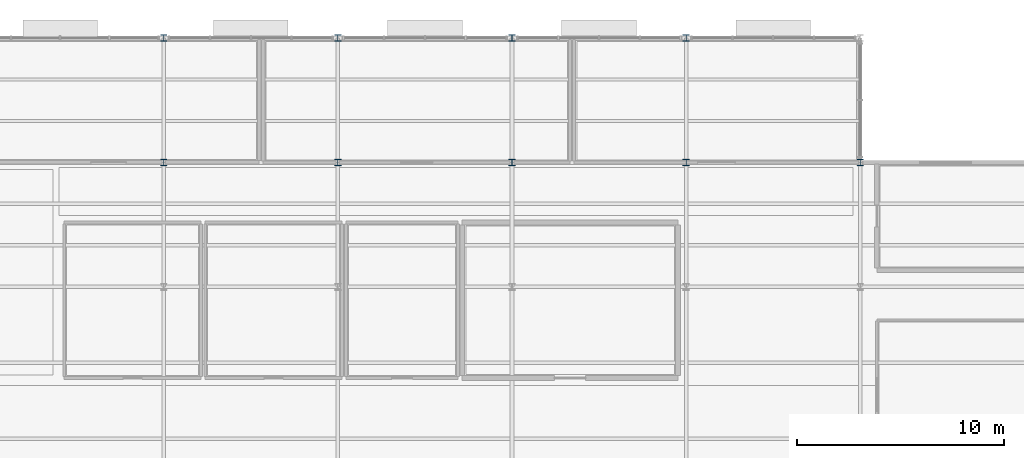
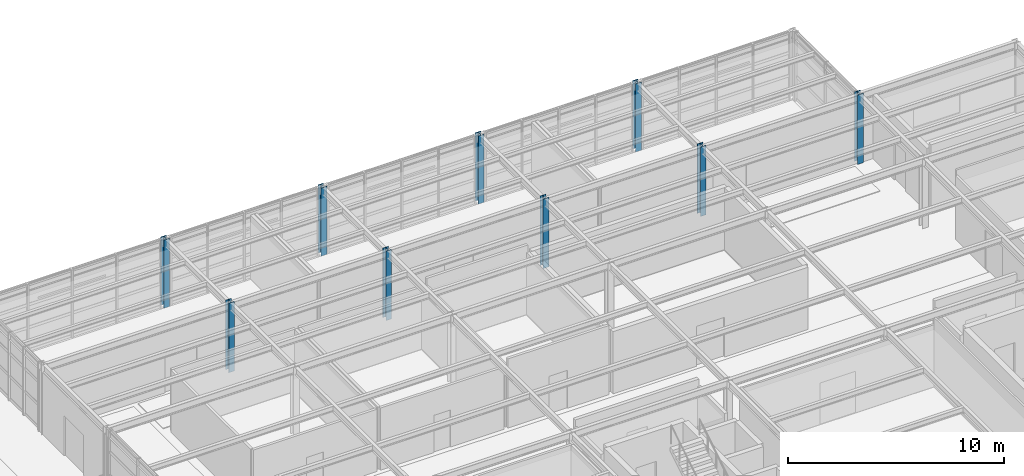
# One storey, part 12 of 49: 9 columns.
"""IFC4 building model written with IfcOpenShell, lengths in metres."""

from ifc_helpers import new_model, si_unit, direction, frame, origin, origin_2d, place, context, subcontext, project, spatial, i_section, extrude, material, material_profile, profile_set, type_object, element, save


model = new_model("IFC4")

# Units and contexts
model_context = context("Model", 3, precision=1e-05, world=origin(), true_north=direction((0.0, 1.0)))
body_context = subcontext(model_context, "Body", "Model", "MODEL_VIEW")
ifc_project = project(units=[si_unit("LENGTHUNIT", "METRE"), si_unit("AREAUNIT", "SQUARE_METRE"), si_unit("VOLUMEUNIT", "CUBIC_METRE"), si_unit("PLANEANGLEUNIT", "RADIAN"), si_unit("MASSUNIT", "GRAM", prefix="KILO")], contexts=[model_context])

# Site, building, storey
site_placement = place(None, origin())
site = spatial("IfcSite", under=ifc_project, at=site_placement, CompositionType="ELEMENT")
building_placement = place(site_placement, origin())
building = spatial("IfcBuilding", under=site, at=building_placement, Name="Sitalva Quay Ferry Terminal", CompositionType="ELEMENT")
storey_placement = place(building_placement, frame((0.0, 0.0, 10.199951171875)))
storey = spatial("IfcBuildingStorey", under=building, at=storey_placement, Name="L03", CompositionType="ELEMENT", Elevation=10.199951171875)

# Columns
ifc_material = material(Name="Structural Steel S355JR", Category="steel")
ifc_material_profile = material_profile(ifc_material, i_section(OverallWidth=0.305908203125, OverallDepth=0.31103515625, WebThickness=0.010986328125, FlangeThickness=0.01708984375, FilletRadius=0.014892578125, at=origin_2d()), Name="W310x107")
ifc_profile_set = profile_set([ifc_material_profile], Name="Structural Steel S355JR")
column_type = type_object("IfcColumnType", Name="Col_W310x107", PredefinedType="COLUMN", material=ifc_profile_set)
for number, where, z_axis, x_axis, name in (
    (1, (84.0, 106.0, 0.0), (0.0, 0.0, 1.0), (1.0, 0.0, 0.0), "L03 column 11M"),
    (2, (92.39990234375, 106.0, 0.0), (0.0, 0.0, 1.0), (1.0, 0.0, 0.0), "L03 column 12M"),
    (3, (100.800048828125, 106.0, 0.0), (0.0, 0.0, 1.0), (1.0, 0.0, 0.0), "L03 column 13M"),
    (4, (109.199951171875, 106.0, 0.0), (0.0, 0.0, 1.0), (1.0, 0.0, 0.0), "L03 column 14M"),
    (5, (117.60009765625, 106.0, 0.0), (0.0, 0.0, 1.0), (1.0, 0.0, 0.0), "L03 column 15M"),
):
    element("IfcColumn", number, at=place(storey_placement, frame(where, z_axis=z_axis, x_axis=x_axis)), inside=storey, type_object=column_type, Name=name, PredefinedType="COLUMN", context=body_context, shape_type="SweptSolid", body=[
        extrude(i_section(OverallWidth=0.305908203125, OverallDepth=0.31103515625, WebThickness=0.010986328125, FlangeThickness=0.01708984375, FilletRadius=0.014892578125, at=origin_2d()), origin(), (0.0, 0.0, 1.0), 3.920166015625),
    ])
for number, where, z_axis, x_axis, name in (
    (6, (84.0, 112.0, 0.0), (0.0, 0.0, 1.0), (1.0, 0.0, 0.0), "L03 column 11N"),
    (7, (92.39990234375, 112.0, 0.0), (0.0, 0.0, 1.0), (1.0, 0.0, 0.0), "L03 column 12N"),
    (8, (100.800048828125, 112.0, 0.0), (0.0, 0.0, 1.0), (1.0, 0.0, 0.0), "L03 column 13N"),
    (9, (109.199951171875, 112.0, 0.0), (0.0, 0.0, 1.0), (1.0, 0.0, 0.0), "L03 column 14N"),
):
    element("IfcColumn", number, at=place(storey_placement, frame(where, z_axis=z_axis, x_axis=x_axis)), inside=storey, type_object=column_type, Name=name, PredefinedType="COLUMN", context=body_context, shape_type="SweptSolid", body=[
        extrude(i_section(OverallWidth=0.305908203125, OverallDepth=0.31103515625, WebThickness=0.010986328125, FlangeThickness=0.01708984375, FilletRadius=0.014892578125, at=origin_2d()), origin(), (0.0, 0.0, 1.0), 3.85009765625),
    ])

save(model, "model.ifc")
